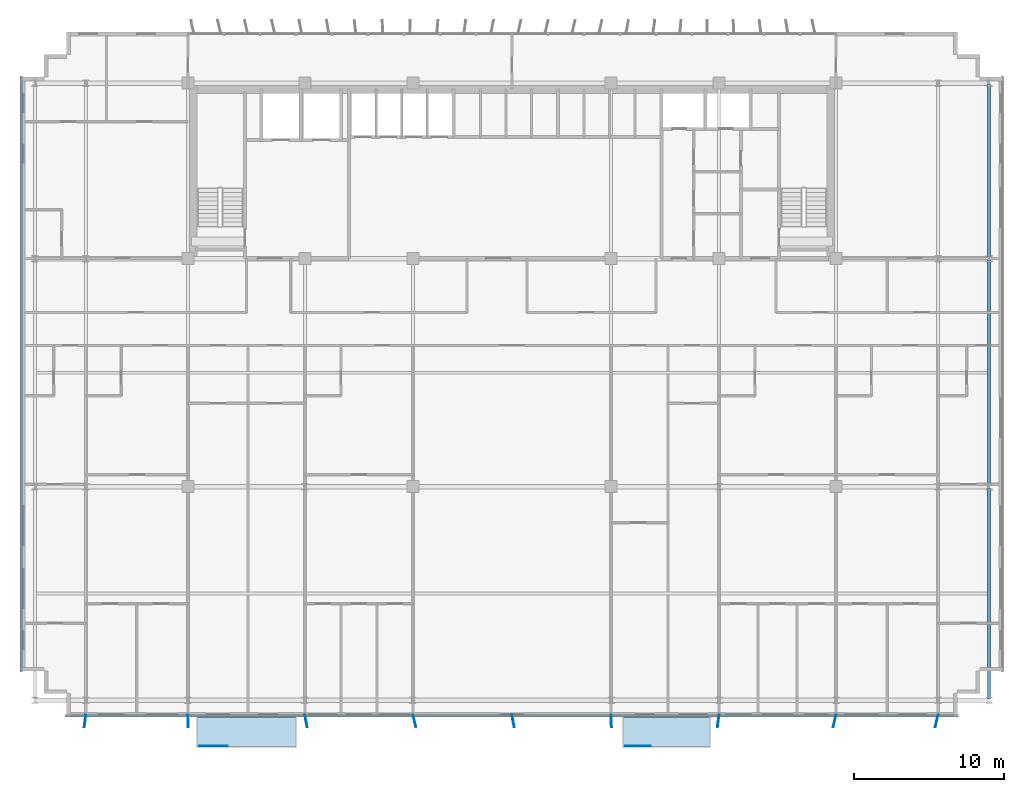
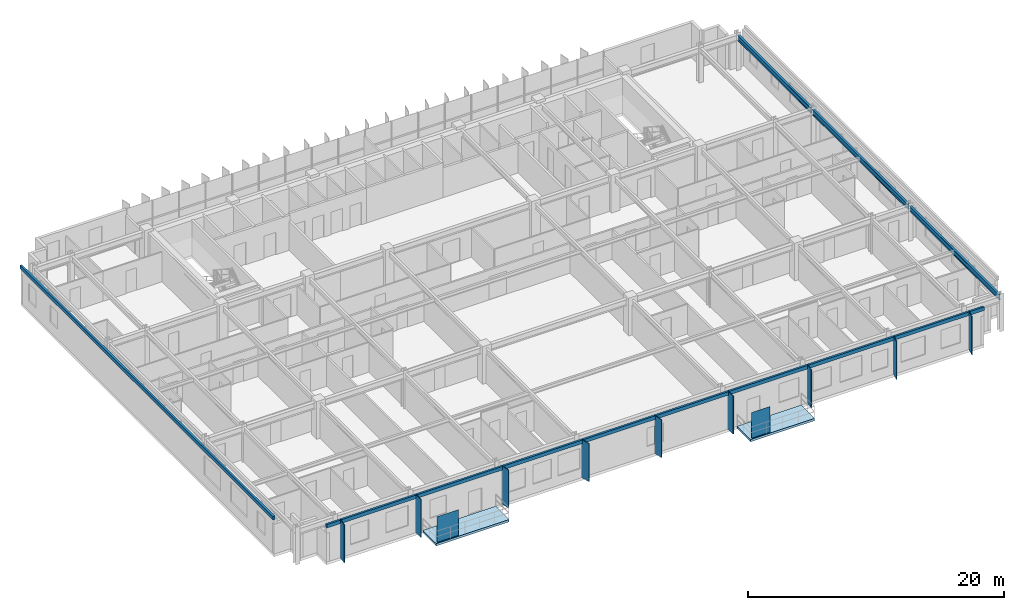
# One storey, part 12 of 22: 13 plates, 3 beams, 2 slabs.
"""IFC4 building model written with IfcOpenShell, lengths in metres."""

from ifc_helpers import new_model, si_unit, direction, frame, origin, origin_2d, place, context, subcontext, project, spatial, polyline, rectangle, i_section, outline, extrude, source, transform, mapped, material, layer, layer_set, material_profile, profile_set, type_object, element, save


model = new_model("IFC4")

# Units and contexts
model_context = context("Model", 3, precision=1e-05, world=origin(), true_north=direction((0.0, 1.0)))
body_context = subcontext(model_context, "Body", "Model", "MODEL_VIEW")
ifc_project = project(units=[si_unit("LENGTHUNIT", "METRE"), si_unit("AREAUNIT", "SQUARE_METRE"), si_unit("VOLUMEUNIT", "CUBIC_METRE"), si_unit("PLANEANGLEUNIT", "RADIAN"), si_unit("MASSUNIT", "GRAM", prefix="KILO")], contexts=[model_context])

# Site, building, storey
site_placement = place(None, origin())
site = spatial("IfcSite", under=ifc_project, at=site_placement, CompositionType="ELEMENT")
building_placement = place(site_placement, origin())
building = spatial("IfcBuilding", under=site, at=building_placement, Name="Trelvane Seafront Commons", CompositionType="ELEMENT")
storey_placement = place(building_placement, frame((0.0, 0.0, 96.10009765625)))
storey = spatial("IfcBuildingStorey", under=building, at=storey_placement, Name="L24", CompositionType="ELEMENT", Elevation=96.10009765625)

# Beams
ifc_material_1 = material(Name="Steel SM355 (S355)", Category="steel")
ifc_material_profile = material_profile(ifc_material_1, i_section(OverallWidth=0.199951171875, OverallDepth=0.5, WebThickness=0.010009765625, FlangeThickness=0.01611328125, at=origin_2d()), Name="H-500x200x10x16")
ifc_profile_set = profile_set([ifc_material_profile], Name="Steel SM355 (S355)")
beam_type = type_object("IfcBeamType", Name="STR-BM-H500", PredefinedType="BEAM", material=ifc_profile_set)
shared_shape_1 = source(origin(), body_context, "Body", "SweptSolid", [
    extrude(i_section(OverallWidth=0.199951171875, OverallDepth=0.5, WebThickness=0.010009765625, FlangeThickness=0.01611328125, at=origin_2d()), origin(), (0.0, 0.0, 1.0), 14.050048828125),
])
beam_1_placement = place(storey_placement, frame((69.0, 4.050048828125, 3.08984375), z_axis=(0.0, 1.0, 0.0), x_axis=(-1.0, 0.0, 0.0)))
element("IfcBeam", 1, at=beam_1_placement, inside=storey, type_object=beam_type, Name="L24 Primary Girder G-64", PredefinedType="BEAM", context=body_context, shape_type="MappedRepresentation", body=[
    mapped(shared_shape_1, transform((0.0, 0.0, 0.0), x_axis=(1.0, 0.0, 0.0), y_axis=(0.0, 1.0, 0.0), z_axis=(0.0, 0.0, 1.0), scale=1.0)),
])
shared_shape_2 = source(origin(), body_context, "Body", "SweptSolid", [
    extrude(i_section(OverallWidth=0.199951171875, OverallDepth=0.5, WebThickness=0.010009765625, FlangeThickness=0.01611328125, at=origin_2d()), origin(), (0.0, 0.0, 1.0), 15.0),
])
beam_2_placement = place(storey_placement, frame((69.0, 18.300048828125, 3.08984375), z_axis=(0.0, 1.0, 0.0), x_axis=(-1.0, 0.0, 0.0)))
element("IfcBeam", 2, at=beam_2_placement, inside=storey, type_object=beam_type, Name="L24 Primary Girder G-65", PredefinedType="BEAM", context=body_context, shape_type="MappedRepresentation", body=[
    mapped(shared_shape_2, transform((0.0, 0.0, 0.0), x_axis=(1.0, 0.0, 0.0), y_axis=(0.0, 1.0, 0.0), z_axis=(0.0, 0.0, 1.0), scale=1.0)),
])
shared_shape_3 = source(origin(), body_context, "Body", "SweptSolid", [
    extrude(i_section(OverallWidth=0.199951171875, OverallDepth=0.5, WebThickness=0.010009765625, FlangeThickness=0.01611328125, at=origin_2d()), origin(), (0.0, 0.0, 1.0), 11.5),
])
beam_3_placement = place(storey_placement, frame((69.0, 33.5, 3.08984375), z_axis=(0.0, 1.0, 0.0), x_axis=(-1.0, 0.0, 0.0)))
element("IfcBeam", 3, at=beam_3_placement, inside=storey, type_object=beam_type, Name="L24 Primary Girder G-66", PredefinedType="BEAM", context=body_context, shape_type="MappedRepresentation", body=[
    mapped(shared_shape_3, transform((0.0, 0.0, 0.0), x_axis=(1.0, 0.0, 0.0), y_axis=(0.0, 1.0, 0.0), z_axis=(0.0, 0.0, 1.0), scale=1.0)),
])

# Slabs
ifc_material_2 = material(Name="Concrete C40/50", Category="concrete")
ifc_layer_1 = layer(ifc_material_2, 0.219970703125, Name="ARCH-BALC-220")
ifc_layer_set_1 = layer_set([ifc_layer_1], Name="Concrete C40/50")
slab_type = type_object("IfcSlabType", Name="ARCH-BALC-220", PredefinedType="FLOOR", material=ifc_layer_set_1)
slab_1_placement = place(storey_placement, frame((0.0, 0.0, -0.22021484375)))
element("IfcSlab", 4, at=slab_1_placement, inside=storey, type_object=slab_type, Name="L24 Cantilevered Tree Balcony Loggia 1", PredefinedType="FLOOR", context=body_context, shape_type="SweptSolid", body=[
    extrude(outline(polyline([(16.199951171875, 0.800048828125), (22.800048828125, 0.800048828125), (22.800048828125, 2.89990234375), (16.199951171875, 2.89990234375), (16.199951171875, 0.800048828125)])), origin(), (0.0, 0.0, 1.0), 0.22021484375),
])
slab_2_placement = place(storey_placement, frame((0.0, 0.0, -0.22021484375)))
element("IfcSlab", 5, at=slab_2_placement, inside=storey, type_object=slab_type, Name="L24 Cantilevered Tree Balcony Loggia 2", PredefinedType="FLOOR", context=body_context, shape_type="SweptSolid", body=[
    extrude(outline(polyline([(44.60009765625, 0.800048828125), (50.39990234375, 0.800048828125), (50.39990234375, 2.89990234375), (44.60009765625, 2.89990234375), (44.60009765625, 0.800048828125)])), origin(), (0.0, 0.0, 1.0), 0.22021484375),
])

# Plates
ifc_material_3 = material(Name="Perforated anodised aluminium screen", Category="aluminium")
ifc_layer_2 = layer(ifc_material_3, 0.01611328125, Name="ARCH-PLATE-SCREEN")
ifc_layer_set_2 = layer_set([ifc_layer_2], Name="Perforated anodised aluminium screen")
plate_type_1 = type_object("IfcPlateType", Name="ARCH-PLATE-SCREEN", PredefinedType="USERDEFINED", material=ifc_layer_set_2)
shared_shape_4 = source(origin(), body_context, "Body", "SweptSolid", [
    extrude(rectangle(XDim=1.9140625, YDim=0.01611328125, at=origin_2d()), origin(), (0.0, 0.0, 1.0), 2.449951171875),
])
plate_1_placement = place(storey_placement, frame((17.306884765625, 0.919921875, 0.0), z_axis=(0.0, 0.0, 1.0), x_axis=(1.0, 0.0, 0.0)))
element("IfcPlate", 6, at=plate_1_placement, inside=storey, type_object=plate_type_1, Name="SCR-L24-00088", ObjectType="SCREEN", PredefinedType="USERDEFINED", context=body_context, shape_type="MappedRepresentation", body=[
    mapped(shared_shape_4, transform((0.0, 0.0, 0.0), x_axis=(1.0, 0.0, 0.0), y_axis=(0.0, 1.0, 0.0), z_axis=(0.0, 0.0, 1.0), scale=1.0)),
])
shared_shape_5 = source(origin(), body_context, "Body", "SweptSolid", [
    extrude(rectangle(XDim=1.681884765625, YDim=0.01611328125, at=origin_2d()), origin(), (0.0, 0.0, 1.0), 2.449951171875),
])
plate_2_placement = place(storey_placement, frame((45.591064453125, 0.919921875, 0.0), z_axis=(0.0, 0.0, 1.0), x_axis=(1.0, 0.0, 0.0)))
element("IfcPlate", 7, at=plate_2_placement, inside=storey, type_object=plate_type_1, Name="SCR-L24-00089", ObjectType="SCREEN", PredefinedType="USERDEFINED", context=body_context, shape_type="MappedRepresentation", body=[
    mapped(shared_shape_5, transform((0.0, 0.0, 0.0), x_axis=(1.0, 0.0, 0.0), y_axis=(0.0, 1.0, 0.0), z_axis=(0.0, 0.0, 1.0), scale=1.0)),
])
ifc_material_4 = material(Name="Anodised pale-silver aluminium", Category="aluminium")
ifc_layer_3 = layer(ifc_material_4, 0.06005859375, Name="ARCH-PLATE-FIN900")
ifc_layer_set_3 = layer_set([ifc_layer_3], Name="Anodised pale-silver aluminium")
plate_type_2 = type_object("IfcPlateType", Name="ARCH-PLATE-FIN900", PredefinedType="USERDEFINED", material=ifc_layer_set_3)
shared_shape_6 = source(origin(), body_context, "Body", "SweptSolid", [
    extrude(rectangle(XDim=0.85009765625, YDim=0.06005859375, at=origin_2d()), origin(), (0.0, 0.0, 1.0), 3.639892578125),
])
for number, where, z_axis, x_axis, name in (
    (8, (8.747314453125, 2.578125, -0.02001953125), (0.0, 0.0, 1.0), (-0.123759082263, -0.99231229437, 0.0), "FIN-S-L24-00608"),
    (9, (15.6171875, 2.575439453125, -0.02001953125), (0.0, 0.0, 1.0), (0.04070553662, -0.999171186178, 0.0), "FIN-S-L24-00609"),
    (10, (23.478759765625, 2.582275390625, -0.02001953125), (0.0, 0.0, 1.0), (0.185289305479, -0.982684014969, 0.0), "FIN-S-L24-00610"),
    (11, (30.702880859375, 2.587646484375, -0.02001953125), (0.0, 0.0, 1.0), (0.241871090703, -0.970308391947, 0.0), "FIN-S-L24-00611"),
    (12, (37.279296875, 2.58251953125, -0.02001953125), (0.0, 0.0, 1.0), (0.186241102874, -0.982504072053, 0.0), "FIN-S-L24-00612"),
    (13, (43.81787109375, 2.575439453125, -0.02001953125), (0.0, 0.0, 1.0), (0.042236617237, -0.999107635925, 0.0), "FIN-S-L24-00613"),
    (14, (50.947998046875, 2.578125, -0.02001953125), (0.0, 0.0, 1.0), (-0.122354378386, -0.992486476527, 0.0), "FIN-S-L24-00614"),
    (15, (58.703125, 2.586181640625, -0.02001953125), (0.0, 0.0, 1.0), (-0.228002516276, -0.973660542783, 0.0), "FIN-S-L24-00615"),
    (16, (65.50341796875, 2.586181640625, -0.02001953125), (0.0, 0.0, 1.0), (-0.22705926564, -0.973880942357, 0.0), "FIN-S-L24-00616"),
):
    element("IfcPlate", number, at=place(storey_placement, frame(where, z_axis=z_axis, x_axis=x_axis)), inside=storey, type_object=plate_type_2, Name=name, ObjectType="FIN", PredefinedType="USERDEFINED", context=body_context, shape_type="MappedRepresentation", body=[
        mapped(shared_shape_6, transform((0.0, 0.0, 0.0), x_axis=(1.0, 0.0, 0.0), y_axis=(0.0, 1.0, 0.0), z_axis=(0.0, 0.0, 1.0), scale=1.0)),
    ])
ifc_layer_4 = layer(ifc_material_4, 0.179931640625, Name="ARCH-PLATE-AERO")
ifc_layer_set_4 = layer_set([ifc_layer_4], Name="Anodised pale-silver aluminium")
plate_type_3 = type_object("IfcPlateType", Name="ARCH-PLATE-AERO", PredefinedType="SHEET", material=ifc_layer_set_4)
shared_shape_7 = source(origin(), body_context, "Body", "SweptSolid", [
    extrude(rectangle(XDim=39.60009765625, YDim=0.179931640625, at=origin_2d()), origin(), (0.0, 0.0, 1.0), 0.340087890625),
])
plate_3_placement = place(storey_placement, frame((4.5, 25.699951171875, 3.27978515625), z_axis=(0.0, 0.0, 1.0), x_axis=(0.0, 1.0, 0.0)))
element("IfcPlate", 17, at=plate_3_placement, inside=storey, type_object=plate_type_3, Name="AER-L24-00086", PredefinedType="SHEET", context=body_context, shape_type="MappedRepresentation", body=[
    mapped(shared_shape_7, transform((0.0, 0.0, 0.0), x_axis=(1.0, 0.0, 0.0), y_axis=(0.0, 1.0, 0.0), z_axis=(0.0, 0.0, 1.0), scale=1.0)),
])
shared_shape_8 = source(origin(), body_context, "Body", "SweptSolid", [
    extrude(rectangle(XDim=59.39990234375, YDim=0.179931640625, at=origin_2d()), origin(), (0.0, 0.0, 1.0), 0.340087890625),
])
plate_4_placement = place(storey_placement, frame((37.199951171875, 2.93994140625, 3.27978515625), z_axis=(0.0, 0.0, 1.0), x_axis=(-1.0, 0.0, 0.0)))
element("IfcPlate", 18, at=plate_4_placement, inside=storey, type_object=plate_type_3, Name="AER-S-L24-00090", PredefinedType="SHEET", context=body_context, shape_type="MappedRepresentation", body=[
    mapped(shared_shape_8, transform((0.0, 0.0, 0.0), x_axis=(1.0, 0.0, 0.0), y_axis=(0.0, 1.0, 0.0), z_axis=(0.0, 0.0, 1.0), scale=1.0)),
])

save(model, "model.ifc")
